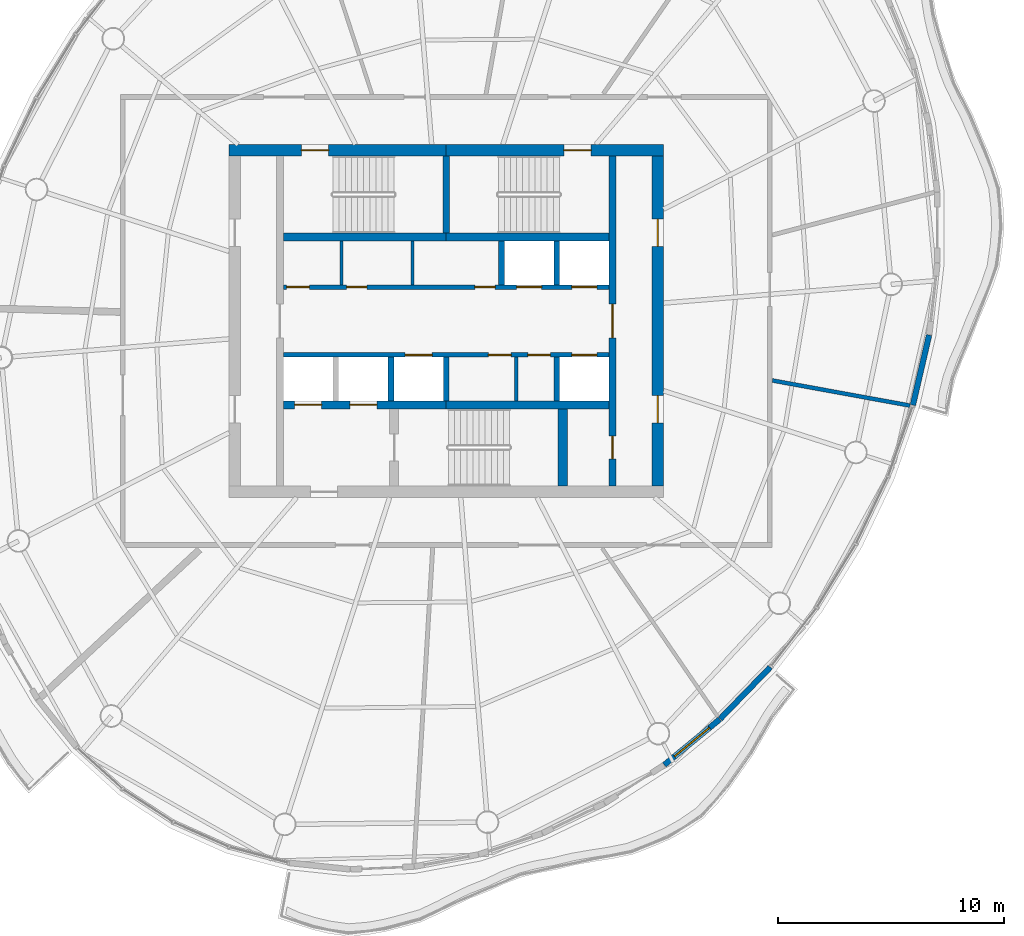
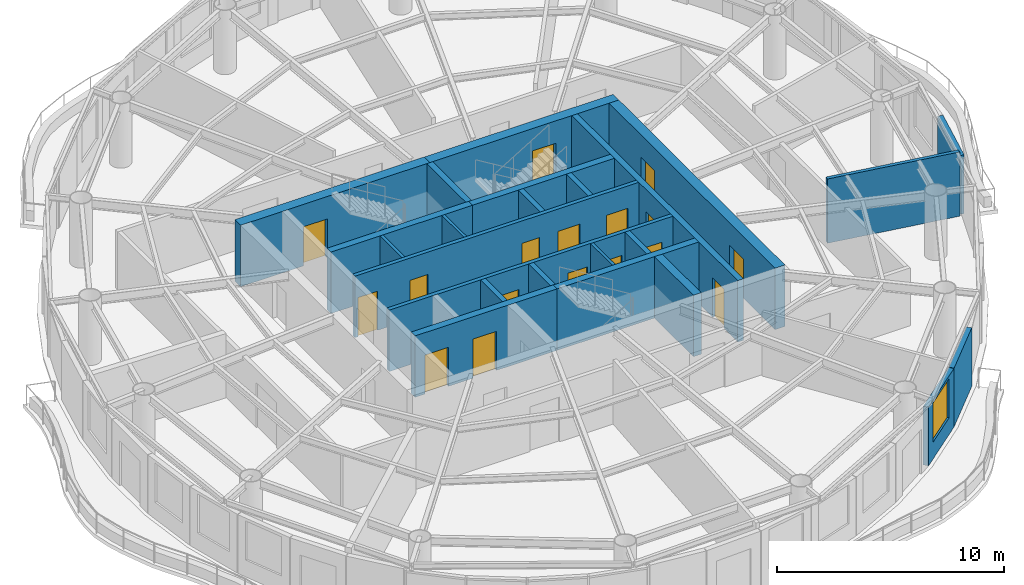
# One storey, part 8 of 13: 24 walls, 17 doors, 1 window, 18 openings.
"""IFC4 building model written with IfcOpenShell, lengths in metres."""

from ifc_helpers import new_model, si_unit, direction, frame, frame_2d, origin, place, context, subcontext, project, spatial, rectangle, extrude, material, layer, layer_set, type_object, element, fill, save


model = new_model("IFC4")

# Units and contexts
model_context = context("Model", 3, precision=1e-05, world=origin(), true_north=direction((0.0, 1.0)))
body_context = subcontext(model_context, "Body", "Model", "MODEL_VIEW")
ifc_project = project(units=[si_unit("LENGTHUNIT", "METRE"), si_unit("AREAUNIT", "SQUARE_METRE"), si_unit("VOLUMEUNIT", "CUBIC_METRE"), si_unit("PLANEANGLEUNIT", "RADIAN"), si_unit("MASSUNIT", "GRAM", prefix="KILO")], contexts=[model_context])

# Site, building, storey
site_placement = place(None, origin())
site = spatial("IfcSite", under=ifc_project, at=site_placement, CompositionType="ELEMENT")
building_placement = place(site_placement, origin())
building = spatial("IfcBuilding", under=site, at=building_placement, Name="Vermilion Reach Broadcast Tower", CompositionType="ELEMENT")
storey_placement = place(building_placement, frame((0.0, 0.0, 279.300048828125)))
storey = spatial("IfcBuildingStorey", under=building, at=storey_placement, Name="L69", CompositionType="ELEMENT", Elevation=279.300048828125)

# Wall, openings, doors
ifc_material_1 = material(Name="Concrete C50", Category="concrete")
ifc_layer_1 = layer(ifc_material_1, 0.300048828125)
ifc_layer_set_1 = layer_set([ifc_layer_1], Name="Core inner wall 300 mm Concrete C50")
wall_type_1 = type_object("IfcWallType", Name="Core inner wall 300 mm Concrete C50", PredefinedType="SHEAR", material=ifc_layer_set_1)
wall_1_placement = place(storey_placement, frame((1.35009765625, -7.300048828125, 0.0), z_axis=(0.0, 0.0, 1.0), x_axis=(0.0, 1.0, 0.0)))
wall_1 = element("IfcWall", 1, at=wall_1_placement, inside=storey, type_object=wall_type_1, Name="L69 core wall ewE", PredefinedType="SHEAR", context=body_context, shape_type="SweptSolid", body=[
    extrude(rectangle(XDim=14.60009765625, YDim=0.300048828125, at=frame_2d((7.300048828125, 0.0))), origin(), (0.0, 0.0, 1.0), 3.300048828125),
])
opening_1_placement = place(wall_1_placement, frame((1.2099609375, 0.0, 0.0)))
opening_1 = element("IfcOpeningElement", 2, at=opening_1_placement, cuts=wall_1, Name="Opening D05", PredefinedType="OPENING", context=body_context, shape_type="SweptSolid", body=[
    extrude(rectangle(XDim=1.0, YDim=2.10009765625, at=frame_2d((0.5, 1.050048828125))), frame((0.0, 0.159912109375, 0.0), z_axis=(0.0, -1.0, 0.0), x_axis=(1.0, 0.0, 0.0)), (0.0, 0.0, 1.0), 0.320068359375),
])
opening_2_placement = place(wall_1_placement, frame((6.550048828125, 0.0, 0.0)))
opening_2 = element("IfcOpeningElement", 3, at=opening_2_placement, cuts=wall_1, Name="Opening D04", PredefinedType="OPENING", context=body_context, shape_type="SweptSolid", body=[
    extrude(rectangle(XDim=1.5, YDim=2.10009765625, at=frame_2d((0.75, 1.050048828125))), frame((0.0, 0.159912109375, 0.0), z_axis=(0.0, -1.0, 0.0), x_axis=(1.0, 0.0, 0.0)), (0.0, 0.0, 1.0), 0.320068359375),
])
ifc_material_2 = material(Name="Painted steel fire door", Category="steel")
door_type_1 = type_object("IfcDoorType", Name="Lift lobby door 1500 x 2100", OperationType="DOUBLE_DOOR_SINGLE_SWING", PredefinedType="NOTDEFINED", material=ifc_material_2)
door_1_placement = place(opening_2_placement, origin())
door_1 = element("IfcDoor", 4, at=door_1_placement, inside=storey, type_object=door_type_1, Name="L69 band door BE", OperationType="DOUBLE_DOOR_SINGLE_SWING", OverallHeight=2.10009765625, OverallWidth=1.5, PredefinedType="NOTDEFINED", context=body_context, shape_type="SweptSolid", body=[
    extrude(rectangle(XDim=1.5, YDim=2.10009765625, at=frame_2d((0.75, 1.050048828125))), frame((0.0, 0.02490234375, 0.0), z_axis=(0.0, -1.0, 0.0), x_axis=(1.0, 0.0, 0.0)), (0.0, 0.0, 1.0), 0.050048828125),
])
fill(opening_2, door_1)
ifc_material_3 = material(Name="Timber door", Category="wood")
door_type_2 = type_object("IfcDoorType", Name="Room door 1000 x 2100", OperationType="NOTDEFINED", PredefinedType="NOTDEFINED", material=ifc_material_3)
door_2_placement = place(opening_1_placement, origin())
door_2 = element("IfcDoor", 5, at=door_2_placement, inside=storey, type_object=door_type_2, Name="L69 door SER", OperationType="SINGLE_SWING_LEFT", OverallHeight=2.10009765625, OverallWidth=1.0, PredefinedType="NOTDEFINED", context=body_context, shape_type="SweptSolid", body=[
    extrude(rectangle(XDim=1.0, YDim=2.10009765625, at=frame_2d((0.5, 1.050048828125))), frame((0.0, 0.02490234375, 0.0), z_axis=(0.0, -1.0, 0.0), x_axis=(1.0, 0.0, 0.0)), (0.0, 0.0, 1.0), 0.050048828125),
])
fill(opening_1, door_2)

# Walls
wall_2_placement = place(storey_placement, frame((-6.0, 3.8798828125, 0.0), z_axis=(0.0, 0.0, 1.0), x_axis=(0.0, 1.0, 0.0)))
element("IfcWall", 6, at=wall_2_placement, inside=storey, type_object=wall_type_1, Name="L69 core wall wc", PredefinedType="SHEAR", context=body_context, shape_type="SweptSolid", body=[
    extrude(rectangle(XDim=3.420166015625, YDim=0.300048828125, at=frame_2d((1.7099609375, 0.0))), origin(), (0.0, 0.0, 1.0), 3.300048828125),
])
ifc_material_4 = material(Name="Concrete C50", Category="concrete")
ifc_layer_2 = layer(ifc_material_4, 0.35009765625)
ifc_layer_set_2 = layer_set([ifc_layer_2], Name="Core inner wall 350 mm Concrete C50")
wall_type_2 = type_object("IfcWallType", Name="Core inner wall 350 mm Concrete C50", PredefinedType="SHEAR", material=ifc_layer_set_2)
for number, where, z_axis, x_axis, name in (
    (7, (-13.199951171875, 3.705078125, 0.0), (0.0, 0.0, 1.0), (1.0, 0.0, 0.0), "L69 core wall winW"),
    (8, (-6.0, 3.705078125, 0.0), (0.0, 0.0, 1.0), (1.0, 0.0, 0.0), "L69 core wall winE"),
):
    element("IfcWall", number, at=place(storey_placement, frame(where, z_axis=z_axis, x_axis=x_axis)), inside=storey, type_object=wall_type_2, Name=name, PredefinedType="SHEAR", context=body_context, shape_type="SweptSolid", body=[
        extrude(rectangle(XDim=7.199951171875, YDim=0.35009765625, at=frame_2d((3.60009765625, 0.0))), origin(), (0.0, 0.0, 1.0), 3.300048828125),
    ])

# Wall, openings, doors
wall_3_placement = place(storey_placement, frame((-13.199951171875, -3.705078125, 0.0), z_axis=(0.0, 0.0, 1.0), x_axis=(1.0, 0.0, 0.0)))
wall_3 = element("IfcWall", 9, at=wall_3_placement, inside=storey, type_object=wall_type_2, Name="L69 core wall wisW", PredefinedType="SHEAR", context=body_context, shape_type="SweptSolid", body=[
    extrude(rectangle(XDim=7.199951171875, YDim=0.35009765625, at=frame_2d((3.60009765625, 0.0))), origin(), (0.0, 0.0, 1.0), 3.300048828125),
])
opening_3_placement = place(wall_3_placement, frame((0.495849609375, 0.0, 0.0)))
opening_3 = element("IfcOpeningElement", 10, at=opening_3_placement, cuts=wall_3, Name="Opening LD1", PredefinedType="OPENING", context=body_context, shape_type="SweptSolid", body=[
    extrude(rectangle(XDim=1.199951171875, YDim=2.10009765625, at=frame_2d((0.60009765625, 1.050048828125))), frame((0.0, 0.18505859375, 0.0), z_axis=(0.0, -1.0, 0.0), x_axis=(1.0, 0.0, 0.0)), (0.0, 0.0, 1.0), 0.3701171875),
])
opening_4_placement = place(wall_3_placement, frame((2.9375, 0.0, 0.0)))
opening_4 = element("IfcOpeningElement", 11, at=opening_4_placement, cuts=wall_3, Name="Opening LD1", PredefinedType="OPENING", context=body_context, shape_type="SweptSolid", body=[
    extrude(rectangle(XDim=1.199951171875, YDim=2.10009765625, at=frame_2d((0.60009765625, 1.050048828125))), frame((0.0, 0.18505859375, 0.0), z_axis=(0.0, -1.0, 0.0), x_axis=(1.0, 0.0, 0.0)), (0.0, 0.0, 1.0), 0.3701171875),
])
ifc_material_5 = material(Name="Stainless steel", Category="steel")
door_type_3 = type_object("IfcDoorType", Name="Landing door 1200 x 2100", OperationType="DOUBLE_DOOR_SLIDING", PredefinedType="NOTDEFINED", material=ifc_material_5)
door_3_placement = place(opening_3_placement, origin())
door_3 = element("IfcDoor", 12, at=door_3_placement, inside=storey, type_object=door_type_3, Name="L69 landing door FF1", OperationType="DOUBLE_DOOR_SLIDING", OverallHeight=2.10009765625, OverallWidth=1.199951171875, PredefinedType="NOTDEFINED", context=body_context, shape_type="SweptSolid", body=[
    extrude(rectangle(XDim=1.199951171875, YDim=2.10009765625, at=frame_2d((0.60009765625, 1.050048828125))), frame((0.0, 0.02490234375, 0.0), z_axis=(0.0, -1.0, 0.0), x_axis=(1.0, 0.0, 0.0)), (0.0, 0.0, 1.0), 0.050048828125),
])
fill(opening_3, door_3)
door_4_placement = place(opening_4_placement, origin())
door_4 = element("IfcDoor", 13, at=door_4_placement, inside=storey, type_object=door_type_3, Name="L69 landing door FF2", OperationType="DOUBLE_DOOR_SLIDING", OverallHeight=2.10009765625, OverallWidth=1.199951171875, PredefinedType="NOTDEFINED", context=body_context, shape_type="SweptSolid", body=[
    extrude(rectangle(XDim=1.199951171875, YDim=2.10009765625, at=frame_2d((0.60009765625, 1.050048828125))), frame((0.0, 0.02490234375, 0.0), z_axis=(0.0, -1.0, 0.0), x_axis=(1.0, 0.0, 0.0)), (0.0, 0.0, 1.0), 0.050048828125),
])
fill(opening_4, door_4)

# Walls
wall_4_placement = place(storey_placement, frame((-6.0, -3.705078125, 0.0), z_axis=(0.0, 0.0, 1.0), x_axis=(1.0, 0.0, 0.0)))
element("IfcWall", 14, at=wall_4_placement, inside=storey, type_object=wall_type_2, Name="L69 core wall wisE", PredefinedType="SHEAR", context=body_context, shape_type="SweptSolid", body=[
    extrude(rectangle(XDim=7.199951171875, YDim=0.35009765625, at=frame_2d((3.60009765625, 0.0))), origin(), (0.0, 0.0, 1.0), 3.300048828125),
])
ifc_material_6 = material(Name="Concrete C50", Category="concrete")
ifc_layer_3 = layer(ifc_material_6, 0.39990234375)
ifc_layer_set_3 = layer_set([ifc_layer_3], Name="Core inner wall 400 mm Concrete C50")
wall_type_3 = type_object("IfcWallType", Name="Core inner wall 400 mm Concrete C50", PredefinedType="SHEAR", material=ifc_layer_set_3)
wall_5_placement = place(storey_placement, frame((-0.85009765625, -3.8798828125, 0.0), z_axis=(0.0, 0.0, 1.0), x_axis=(0.0, -1.0, 0.0)))
element("IfcWall", 15, at=wall_5_placement, inside=storey, type_object=wall_type_3, Name="L69 core wall wb", PredefinedType="SHEAR", context=body_context, shape_type="SweptSolid", body=[
    extrude(rectangle(XDim=3.420166015625, YDim=0.39990234375, at=frame_2d((1.7099609375, 0.0))), origin(), (0.0, 0.0, 1.0), 3.300048828125),
])

# Wall, opening, door
ifc_material_7 = material(Name="Concrete C50", Category="concrete")
ifc_layer_4 = layer(ifc_material_7, 0.5)
ifc_layer_set_4 = layer_set([ifc_layer_4], Name="Core outer wall 500 mm Concrete C50")
wall_type_4 = type_object("IfcWallType", Name="Core outer wall 500 mm Concrete C50", PredefinedType="SHEAR", material=ifc_layer_set_4)
wall_6_placement = place(storey_placement, frame((3.60009765625, 7.550048828125, 0.0), z_axis=(0.0, 0.0, 1.0), x_axis=(-1.0, 0.0, 0.0)))
wall_6 = element("IfcWall", 16, at=wall_6_placement, inside=storey, type_object=wall_type_4, Name="L69 core wall onE", PredefinedType="SHEAR", context=body_context, shape_type="SweptSolid", body=[
    extrude(rectangle(XDim=9.60009765625, YDim=0.5, at=frame_2d((4.800048828125, 0.0))), origin(), (0.0, 0.0, 1.0), 3.300048828125),
])
opening_5_placement = place(wall_6_placement, frame((3.199951171875, 0.0, 0.0)))
opening_5 = element("IfcOpeningElement", 17, at=opening_5_placement, cuts=wall_6, Name="Opening D01", PredefinedType="OPENING", context=body_context, shape_type="SweptSolid", body=[
    extrude(rectangle(XDim=1.199951171875, YDim=2.10009765625, at=frame_2d((0.60009765625, 1.050048828125))), frame((0.0, 0.260009765625, 0.0), z_axis=(0.0, -1.0, 0.0), x_axis=(1.0, 0.0, 0.0)), (0.0, 0.0, 1.0), 0.52001953125),
])
ifc_material_8 = material(Name="Painted steel fire door", Category="steel")
door_type_4 = type_object("IfcDoorType", Name="Stair door 1200 x 2100", OperationType="DOUBLE_DOOR_SINGLE_SWING", PredefinedType="NOTDEFINED", material=ifc_material_8)
door_5_placement = place(opening_5_placement, origin())
door_5 = element("IfcDoor", 18, at=door_5_placement, inside=storey, type_object=door_type_4, Name="L69 stair door ST2", OperationType="DOUBLE_DOOR_SINGLE_SWING", OverallHeight=2.10009765625, OverallWidth=1.199951171875, PredefinedType="NOTDEFINED", context=body_context, shape_type="SweptSolid", body=[
    extrude(rectangle(XDim=1.199951171875, YDim=2.10009765625, at=frame_2d((0.60009765625, 1.050048828125))), frame((0.0, 0.02490234375, 0.0), z_axis=(0.0, -1.0, 0.0), x_axis=(1.0, 0.0, 0.0)), (0.0, 0.0, 1.0), 0.050048828125),
])
fill(opening_5, door_5)

wall_7_placement = place(storey_placement, frame((-6.0, 7.550048828125, 0.0), z_axis=(0.0, 0.0, 1.0), x_axis=(-1.0, 0.0, 0.0)))
wall_7 = element("IfcWall", 19, at=wall_7_placement, inside=storey, type_object=wall_type_4, Name="L69 core wall onW", PredefinedType="SHEAR", context=body_context, shape_type="SweptSolid", body=[
    extrude(rectangle(XDim=9.60009765625, YDim=0.5, at=frame_2d((4.800048828125, 0.0))), origin(), (0.0, 0.0, 1.0), 3.300048828125),
])
opening_6_placement = place(wall_7_placement, frame((5.199951171875, 0.0, 0.0)))
opening_6 = element("IfcOpeningElement", 20, at=opening_6_placement, cuts=wall_7, Name="Opening D01", PredefinedType="OPENING", context=body_context, shape_type="SweptSolid", body=[
    extrude(rectangle(XDim=1.199951171875, YDim=2.10009765625, at=frame_2d((0.60009765625, 1.050048828125))), frame((0.0, 0.260009765625, 0.0), z_axis=(0.0, -1.0, 0.0), x_axis=(1.0, 0.0, 0.0)), (0.0, 0.0, 1.0), 0.52001953125),
])
door_6_placement = place(opening_6_placement, origin())
door_6 = element("IfcDoor", 21, at=door_6_placement, inside=storey, type_object=door_type_4, Name="L69 stair door ST1", OperationType="DOUBLE_DOOR_SINGLE_SWING", OverallHeight=2.10009765625, OverallWidth=1.199951171875, PredefinedType="NOTDEFINED", context=body_context, shape_type="SweptSolid", body=[
    extrude(rectangle(XDim=1.199951171875, YDim=2.10009765625, at=frame_2d((0.60009765625, 1.050048828125))), frame((0.0, 0.02490234375, 0.0), z_axis=(0.0, -1.0, 0.0), x_axis=(1.0, 0.0, 0.0)), (0.0, 0.0, 1.0), 0.050048828125),
])
fill(opening_6, door_6)

# Wall, openings, doors
wall_8_placement = place(storey_placement, frame((3.35009765625, -7.300048828125, 0.0), z_axis=(0.0, 0.0, 1.0), x_axis=(0.0, 1.0, 0.0)))
wall_8 = element("IfcWall", 22, at=wall_8_placement, inside=storey, type_object=wall_type_4, Name="L69 core wall oe", PredefinedType="SHEAR", context=body_context, shape_type="SweptSolid", body=[
    extrude(rectangle(XDim=14.60009765625, YDim=0.5, at=frame_2d((7.300048828125, 0.0))), origin(), (0.0, 0.0, 1.0), 3.300048828125),
])
opening_7_placement = place(wall_8_placement, frame((2.800048828125, 0.0, 0.0)))
opening_7 = element("IfcOpeningElement", 23, at=opening_7_placement, cuts=wall_8, Name="Opening D03", PredefinedType="OPENING", context=body_context, shape_type="SweptSolid", body=[
    extrude(rectangle(XDim=1.199951171875, YDim=2.10009765625, at=frame_2d((0.60009765625, 1.050048828125))), frame((0.0, 0.260009765625, 0.0), z_axis=(0.0, -1.0, 0.0), x_axis=(1.0, 0.0, 0.0)), (0.0, 0.0, 1.0), 0.52001953125),
])
opening_8_placement = place(wall_8_placement, frame((10.60009765625, 0.0, 0.0)))
opening_8 = element("IfcOpeningElement", 24, at=opening_8_placement, cuts=wall_8, Name="Opening D03", PredefinedType="OPENING", context=body_context, shape_type="SweptSolid", body=[
    extrude(rectangle(XDim=1.199951171875, YDim=2.10009765625, at=frame_2d((0.60009765625, 1.050048828125))), frame((0.0, 0.260009765625, 0.0), z_axis=(0.0, -1.0, 0.0), x_axis=(1.0, 0.0, 0.0)), (0.0, 0.0, 1.0), 0.52001953125),
])
ifc_material_9 = material(Name="Painted steel fire door", Category="steel")
door_type_5 = type_object("IfcDoorType", Name="Core lobby door 1200 x 2100", OperationType="DOUBLE_DOOR_SINGLE_SWING", PredefinedType="NOTDEFINED", material=ifc_material_9)
door_7_placement = place(opening_7_placement, origin())
door_7 = element("IfcDoor", 25, at=door_7_placement, inside=storey, type_object=door_type_5, Name="L69 slot door E0", OperationType="DOUBLE_DOOR_SINGLE_SWING", OverallHeight=2.10009765625, OverallWidth=1.199951171875, PredefinedType="NOTDEFINED", context=body_context, shape_type="SweptSolid", body=[
    extrude(rectangle(XDim=1.199951171875, YDim=2.10009765625, at=frame_2d((0.60009765625, 1.050048828125))), frame((0.0, 0.02490234375, 0.0), z_axis=(0.0, -1.0, 0.0), x_axis=(1.0, 0.0, 0.0)), (0.0, 0.0, 1.0), 0.050048828125),
])
fill(opening_7, door_7)
door_8_placement = place(opening_8_placement, origin())
door_8 = element("IfcDoor", 26, at=door_8_placement, inside=storey, type_object=door_type_5, Name="L69 slot door E1", OperationType="DOUBLE_DOOR_SINGLE_SWING", OverallHeight=2.10009765625, OverallWidth=1.199951171875, PredefinedType="NOTDEFINED", context=body_context, shape_type="SweptSolid", body=[
    extrude(rectangle(XDim=1.199951171875, YDim=2.10009765625, at=frame_2d((0.60009765625, 1.050048828125))), frame((0.0, 0.02490234375, 0.0), z_axis=(0.0, -1.0, 0.0), x_axis=(1.0, 0.0, 0.0)), (0.0, 0.0, 1.0), 0.050048828125),
])
fill(opening_8, door_8)

# Walls
ifc_material_10 = material(Name="Masonry block", Category="masonry")
ifc_layer_5 = layer(ifc_material_10, 0.14990234375)
ifc_layer_set_5 = layer_set([ifc_layer_5], Name="Core partition wall 150 mm Masonry block")
wall_type_5 = type_object("IfcWallType", Name="Core partition wall 150 mm Masonry block", PredefinedType="PARTITIONING", material=ifc_layer_set_5)
for number, where, z_axis, x_axis, name in (
    (27, (-10.630615234375, 1.60009765625, 0.0), (0.0, 0.0, 1.0), (0.0, 1.0, 0.0), "L69 core wall prN-4630"),
    (28, (-7.489990234375, 1.60009765625, 0.0), (0.0, 0.0, 1.0), (0.0, 1.0, 0.0), "L69 core wall prN-1490"),
    (29, (-2.90966796875, -1.60009765625, 0.0), (0.0, 0.0, 1.0), (0.0, -1.0, 0.0), "L69 core wall prS3090"),
):
    element("IfcWall", number, at=place(storey_placement, frame(where, z_axis=z_axis, x_axis=x_axis)), inside=storey, type_object=wall_type_5, Name=name, PredefinedType="PARTITIONING", context=body_context, shape_type="SweptSolid", body=[
        extrude(rectangle(XDim=1.929931640625, YDim=0.14990234375, at=frame_2d((0.96484375, 0.0))), origin(), (0.0, 0.0, 1.0), 3.300048828125),
    ])

# Wall, openings, doors
ifc_material_11 = material(Name="Concrete C50", Category="concrete")
ifc_layer_6 = layer(ifc_material_11, 0.199951171875)
ifc_layer_set_6 = layer_set([ifc_layer_6], Name="Core shaft wall 200 mm Concrete C50")
wall_type_6 = type_object("IfcWallType", Name="Core shaft wall 200 mm Concrete C50", PredefinedType="SHEAR", material=ifc_layer_set_6)
wall_9_placement = place(storey_placement, frame((-13.199951171875, 1.5, 0.0), z_axis=(0.0, 0.0, 1.0), x_axis=(1.0, 0.0, 0.0)))
wall_9 = element("IfcWall", 30, at=wall_9_placement, inside=storey, type_object=wall_type_6, Name="L69 core wall fn", PredefinedType="SHEAR", context=body_context, shape_type="SweptSolid", body=[
    extrude(rectangle(XDim=14.39990234375, YDim=0.199951171875, at=frame_2d((7.199951171875, 0.0))), origin(), (0.0, 0.0, 1.0), 3.300048828125),
])
opening_9_placement = place(wall_9_placement, frame((10.3125, 0.0, 0.0)))
opening_9 = element("IfcOpeningElement", 31, at=opening_9_placement, cuts=wall_9, Name="Opening LD2", PredefinedType="OPENING", context=body_context, shape_type="SweptSolid", body=[
    extrude(rectangle(XDim=1.10009765625, YDim=2.10009765625, at=frame_2d((0.550048828125, 1.050048828125))), frame((0.0, 0.10986328125, 0.0), z_axis=(0.0, -1.0, 0.0), x_axis=(1.0, 0.0, 0.0)), (0.0, 0.0, 1.0), 0.219970703125),
])
opening_10_placement = place(wall_9_placement, frame((12.754150390625, 0.0, 0.0)))
opening_10 = element("IfcOpeningElement", 32, at=opening_10_placement, cuts=wall_9, Name="Opening LD2", PredefinedType="OPENING", context=body_context, shape_type="SweptSolid", body=[
    extrude(rectangle(XDim=1.10009765625, YDim=2.10009765625, at=frame_2d((0.550048828125, 1.050048828125))), frame((0.0, 0.10986328125, 0.0), z_axis=(0.0, -1.0, 0.0), x_axis=(1.0, 0.0, 0.0)), (0.0, 0.0, 1.0), 0.219970703125),
])
opening_11_placement = place(wall_9_placement, frame((0.14990234375, 0.0, 0.0)))
opening_11 = element("IfcOpeningElement", 33, at=opening_11_placement, cuts=wall_9, Name="Opening D10", PredefinedType="OPENING", context=body_context, shape_type="SweptSolid", body=[
    extrude(rectangle(XDim=1.0, YDim=2.10009765625, at=frame_2d((0.5, 1.050048828125))), frame((0.0, 0.10986328125, 0.0), z_axis=(0.0, -1.0, 0.0), x_axis=(1.0, 0.0, 0.0)), (0.0, 0.0, 1.0), 0.219970703125),
])
opening_12_placement = place(wall_9_placement, frame((2.79443359375, 0.0, 0.0)))
opening_12 = element("IfcOpeningElement", 34, at=opening_12_placement, cuts=wall_9, Name="Opening D06", PredefinedType="OPENING", context=body_context, shape_type="SweptSolid", body=[
    extrude(rectangle(XDim=0.89990234375, YDim=2.10009765625, at=frame_2d((0.449951171875, 1.050048828125))), frame((0.0, 0.10986328125, 0.0), z_axis=(0.0, -1.0, 0.0), x_axis=(1.0, 0.0, 0.0)), (0.0, 0.0, 1.0), 0.219970703125),
])
opening_13_placement = place(wall_9_placement, frame((8.466552734375, 0.0, 0.0)))
opening_13 = element("IfcOpeningElement", 35, at=opening_13_placement, cuts=wall_9, Name="Opening D06", PredefinedType="OPENING", context=body_context, shape_type="SweptSolid", body=[
    extrude(rectangle(XDim=0.89990234375, YDim=2.10009765625, at=frame_2d((0.449951171875, 1.050048828125))), frame((0.0, 0.10986328125, 0.0), z_axis=(0.0, -1.0, 0.0), x_axis=(1.0, 0.0, 0.0)), (0.0, 0.0, 1.0), 0.219970703125),
])
ifc_material_12 = material(Name="Stainless steel", Category="steel")
door_type_6 = type_object("IfcDoorType", Name="Landing door 1100 x 2100", OperationType="DOUBLE_DOOR_SLIDING", PredefinedType="NOTDEFINED", material=ifc_material_12)
door_9_placement = place(opening_9_placement, origin())
door_9 = element("IfcDoor", 36, at=door_9_placement, inside=storey, type_object=door_type_6, Name="L69 landing door HR1", OperationType="DOUBLE_DOOR_SLIDING", OverallHeight=2.10009765625, OverallWidth=1.10009765625, PredefinedType="NOTDEFINED", context=body_context, shape_type="SweptSolid", body=[
    extrude(rectangle(XDim=1.10009765625, YDim=2.10009765625, at=frame_2d((0.550048828125, 1.050048828125))), frame((0.0, 0.02490234375, 0.0), z_axis=(0.0, -1.0, 0.0), x_axis=(1.0, 0.0, 0.0)), (0.0, 0.0, 1.0), 0.050048828125),
])
fill(opening_9, door_9)
door_10_placement = place(opening_10_placement, origin())
door_10 = element("IfcDoor", 37, at=door_10_placement, inside=storey, type_object=door_type_6, Name="L69 landing door HR2", OperationType="DOUBLE_DOOR_SLIDING", OverallHeight=2.10009765625, OverallWidth=1.10009765625, PredefinedType="NOTDEFINED", context=body_context, shape_type="SweptSolid", body=[
    extrude(rectangle(XDim=1.10009765625, YDim=2.10009765625, at=frame_2d((0.550048828125, 1.050048828125))), frame((0.0, 0.02490234375, 0.0), z_axis=(0.0, -1.0, 0.0), x_axis=(1.0, 0.0, 0.0)), (0.0, 0.0, 1.0), 0.050048828125),
])
fill(opening_10, door_10)
ifc_material_13 = material(Name="Timber door", Category="wood")
door_type_7 = type_object("IfcDoorType", Name="WC door 900 x 2100", OperationType="NOTDEFINED", PredefinedType="NOTDEFINED", material=ifc_material_13)
door_11_placement = place(opening_12_placement, origin())
door_11 = element("IfcDoor", 38, at=door_11_placement, inside=storey, type_object=door_type_7, Name="L69 door Male WC", OperationType="SINGLE_SWING_LEFT", OverallHeight=2.10009765625, OverallWidth=0.89990234375, PredefinedType="NOTDEFINED", context=body_context, shape_type="SweptSolid", body=[
    extrude(rectangle(XDim=0.89990234375, YDim=2.10009765625, at=frame_2d((0.449951171875, 1.050048828125))), frame((0.0, 0.02490234375, 0.0), z_axis=(0.0, -1.0, 0.0), x_axis=(1.0, 0.0, 0.0)), (0.0, 0.0, 1.0), 0.050048828125),
])
fill(opening_12, door_11)
door_12_placement = place(opening_13_placement, origin())
door_12 = element("IfcDoor", 39, at=door_12_placement, inside=storey, type_object=door_type_7, Name="L69 door Female WC", OperationType="SINGLE_SWING_RIGHT", OverallHeight=2.10009765625, OverallWidth=0.89990234375, PredefinedType="NOTDEFINED", context=body_context, shape_type="SweptSolid", body=[
    extrude(rectangle(XDim=0.89990234375, YDim=2.10009765625, at=frame_2d((0.449951171875, 1.050048828125))), frame((0.0, 0.02490234375, 0.0), z_axis=(0.0, -1.0, 0.0), x_axis=(1.0, 0.0, 0.0)), (0.0, 0.0, 1.0), 0.050048828125),
])
fill(opening_13, door_12)
ifc_material_14 = material(Name="Timber door", Category="wood")
door_type_8 = type_object("IfcDoorType", Name="WC lobby door 1000 x 2100", OperationType="NOTDEFINED", PredefinedType="NOTDEFINED", material=ifc_material_14)
door_13_placement = place(opening_11_placement, origin())
door_13 = element("IfcDoor", 40, at=door_13_placement, inside=storey, type_object=door_type_8, Name="L69 door WC lobby", OperationType="SINGLE_SWING_LEFT", OverallHeight=2.10009765625, OverallWidth=1.0, PredefinedType="NOTDEFINED", context=body_context, shape_type="SweptSolid", body=[
    extrude(rectangle(XDim=1.0, YDim=2.10009765625, at=frame_2d((0.5, 1.050048828125))), frame((0.0, 0.02490234375, 0.0), z_axis=(0.0, -1.0, 0.0), x_axis=(1.0, 0.0, 0.0)), (0.0, 0.0, 1.0), 0.050048828125),
])
fill(opening_11, door_13)

wall_10_placement = place(storey_placement, frame((1.199951171875, -1.5, 0.0), z_axis=(0.0, 0.0, 1.0), x_axis=(-1.0, 0.0, 0.0)))
wall_10 = element("IfcWall", 41, at=wall_10_placement, inside=storey, type_object=wall_type_6, Name="L69 core wall fs", PredefinedType="SHEAR", context=body_context, shape_type="SweptSolid", body=[
    extrude(rectangle(XDim=14.39990234375, YDim=0.199951171875, at=frame_2d((7.199951171875, 0.0))), origin(), (0.0, 0.0, 1.0), 3.300048828125),
])
opening_14_placement = place(wall_10_placement, frame((7.82080078125, 0.0, 0.0)))
opening_14 = element("IfcOpeningElement", 42, at=opening_14_placement, cuts=wall_10, Name="Opening LD1", PredefinedType="OPENING", context=body_context, shape_type="SweptSolid", body=[
    extrude(rectangle(XDim=1.199951171875, YDim=2.10009765625, at=frame_2d((0.60009765625, 1.050048828125))), frame((0.0, 0.10986328125, 0.0), z_axis=(0.0, -1.0, 0.0), x_axis=(1.0, 0.0, 0.0)), (0.0, 0.0, 1.0), 0.219970703125),
])
opening_15_placement = place(wall_10_placement, frame((0.5458984375, 0.0, 0.0)))
opening_15 = element("IfcOpeningElement", 43, at=opening_15_placement, cuts=wall_10, Name="Opening LD2", PredefinedType="OPENING", context=body_context, shape_type="SweptSolid", body=[
    extrude(rectangle(XDim=1.10009765625, YDim=2.10009765625, at=frame_2d((0.550048828125, 1.050048828125))), frame((0.0, 0.10986328125, 0.0), z_axis=(0.0, -1.0, 0.0), x_axis=(1.0, 0.0, 0.0)), (0.0, 0.0, 1.0), 0.219970703125),
])
opening_16_placement = place(wall_10_placement, frame((4.334716796875, 0.0, 0.0)))
opening_16 = element("IfcOpeningElement", 44, at=opening_16_placement, cuts=wall_10, Name="Opening D07", PredefinedType="OPENING", context=body_context, shape_type="SweptSolid", body=[
    extrude(rectangle(XDim=1.0, YDim=2.10009765625, at=frame_2d((0.5, 1.050048828125))), frame((0.0, 0.10986328125, 0.0), z_axis=(0.0, -1.0, 0.0), x_axis=(1.0, 0.0, 0.0)), (0.0, 0.0, 1.0), 0.219970703125),
])
opening_17_placement = place(wall_10_placement, frame((2.591552734375, 0.0, 0.0)))
opening_17 = element("IfcOpeningElement", 45, at=opening_17_placement, cuts=wall_10, Name="Opening D11", PredefinedType="OPENING", context=body_context, shape_type="SweptSolid", body=[
    extrude(rectangle(XDim=1.0, YDim=2.10009765625, at=frame_2d((0.5, 1.050048828125))), frame((0.0, 0.10986328125, 0.0), z_axis=(0.0, -1.0, 0.0), x_axis=(1.0, 0.0, 0.0)), (0.0, 0.0, 1.0), 0.219970703125),
])
ifc_material_15 = material(Name="Timber door", Category="wood")
door_type_9 = type_object("IfcDoorType", Name="Accessible WC door 1000 x 2100", OperationType="NOTDEFINED", PredefinedType="NOTDEFINED", material=ifc_material_15)
door_14_placement = place(opening_16_placement, origin())
door_14 = element("IfcDoor", 46, at=door_14_placement, inside=storey, type_object=door_type_9, Name="L69 door Accessible WC", OperationType="SINGLE_SWING_LEFT", OverallHeight=2.10009765625, OverallWidth=1.0, PredefinedType="NOTDEFINED", context=body_context, shape_type="SweptSolid", body=[
    extrude(rectangle(XDim=1.0, YDim=2.10009765625, at=frame_2d((0.5, 1.050048828125))), frame((0.0, 0.02490234375, 0.0), z_axis=(0.0, -1.0, 0.0), x_axis=(1.0, 0.0, 0.0)), (0.0, 0.0, 1.0), 0.050048828125),
])
fill(opening_16, door_14)
door_15_placement = place(opening_15_placement, origin())
door_15 = element("IfcDoor", 47, at=door_15_placement, inside=storey, type_object=door_type_6, Name="L69 landing door HR3", OperationType="DOUBLE_DOOR_SLIDING", OverallHeight=2.10009765625, OverallWidth=1.10009765625, PredefinedType="NOTDEFINED", context=body_context, shape_type="SweptSolid", body=[
    extrude(rectangle(XDim=1.10009765625, YDim=2.10009765625, at=frame_2d((0.550048828125, 1.050048828125))), frame((0.0, 0.02490234375, 0.0), z_axis=(0.0, -1.0, 0.0), x_axis=(1.0, 0.0, 0.0)), (0.0, 0.0, 1.0), 0.050048828125),
])
fill(opening_15, door_15)
door_16_placement = place(opening_14_placement, origin())
door_16 = element("IfcDoor", 48, at=door_16_placement, inside=storey, type_object=door_type_3, Name="L69 landing door SV1", OperationType="DOUBLE_DOOR_SLIDING", OverallHeight=2.10009765625, OverallWidth=1.199951171875, PredefinedType="NOTDEFINED", context=body_context, shape_type="SweptSolid", body=[
    extrude(rectangle(XDim=1.199951171875, YDim=2.10009765625, at=frame_2d((0.60009765625, 1.050048828125))), frame((0.0, 0.02490234375, 0.0), z_axis=(0.0, -1.0, 0.0), x_axis=(1.0, 0.0, 0.0)), (0.0, 0.0, 1.0), 0.050048828125),
])
fill(opening_14, door_16)
ifc_material_16 = material(Name="Painted steel fire door", Category="steel")
door_type_10 = type_object("IfcDoorType", Name="Services room door 1000 x 2100", OperationType="NOTDEFINED", PredefinedType="NOTDEFINED", material=ifc_material_16)
door_17_placement = place(opening_17_placement, origin())
door_17 = element("IfcDoor", 49, at=door_17_placement, inside=storey, type_object=door_type_10, Name="L69 door Electrical room", OperationType="SINGLE_SWING_LEFT", OverallHeight=2.10009765625, OverallWidth=1.0, PredefinedType="NOTDEFINED", context=body_context, shape_type="SweptSolid", body=[
    extrude(rectangle(XDim=1.0, YDim=2.10009765625, at=frame_2d((0.5, 1.050048828125))), frame((0.0, 0.02490234375, 0.0), z_axis=(0.0, -1.0, 0.0), x_axis=(1.0, 0.0, 0.0)), (0.0, 0.0, 1.0), 0.050048828125),
])
fill(opening_17, door_17)

# Walls
ifc_material_17 = material(Name="Concrete C50", Category="concrete")
ifc_layer_7 = layer(ifc_material_17, 0.25)
ifc_layer_set_7 = layer_set([ifc_layer_7], Name="Core shaft wall 250 mm Concrete C50")
wall_type_7 = type_object("IfcWallType", Name="Core shaft wall 250 mm Concrete C50", PredefinedType="SHEAR", material=ifc_layer_set_7)
for number, where, z_axis, x_axis, name in (
    (50, (-3.558349609375, 1.60009765625, 0.0), (0.0, 0.0, 1.0), (0.0, 1.0, 0.0), "L69 core wall psN3"),
    (51, (-1.11669921875, 1.60009765625, 0.0), (0.0, 0.0, 1.0), (0.0, 1.0, 0.0), "L69 core wall psN4"),
    (52, (-8.441650390625, -1.60009765625, 0.0), (0.0, 0.0, 1.0), (0.0, -1.0, 0.0), "L69 core wall psS1"),
    (53, (-6.0, -1.60009765625, 0.0), (0.0, 0.0, 1.0), (0.0, -1.0, 0.0), "L69 core wall psS2"),
    (54, (-1.11669921875, -1.60009765625, 0.0), (0.0, 0.0, 1.0), (0.0, -1.0, 0.0), "L69 core wall psS4"),
):
    element("IfcWall", number, at=place(storey_placement, frame(where, z_axis=z_axis, x_axis=x_axis)), inside=storey, type_object=wall_type_7, Name=name, PredefinedType="SHEAR", context=body_context, shape_type="SweptSolid", body=[
        extrude(rectangle(XDim=1.929931640625, YDim=0.25, at=frame_2d((0.96484375, 0.0))), origin(), (0.0, 0.0, 1.0), 3.300048828125),
    ])
ifc_material_18 = material(Name="Fire-rated block, plastered")
ifc_layer_8 = layer(ifc_material_18, 0.175048828125)
ifc_layer_set_8 = layer_set([ifc_layer_8], Name="Partition 175 fire-rated block")
wall_type_8 = type_object("IfcWallType", Name="Partition 175 fire-rated block", PredefinedType="PARTITIONING", material=ifc_layer_set_8)
wall_11_placement = place(storey_placement, frame((14.4921875, -3.737548828125, 0.0), z_axis=(0.0, 0.0, 1.0), x_axis=(-0.98376729686, 0.1794488942, 0.0)))
element("IfcWall", 55, at=wall_11_placement, inside=storey, type_object=wall_type_8, Name="Partition 69.07", PredefinedType="PARTITIONING", context=body_context, shape_type="SweptSolid", body=[
    extrude(rectangle(XDim=6.1767578125, YDim=0.175048828125, at=frame_2d((3.08837890625, 0.0))), origin(), (0.0, 0.0, 1.0), 3.449951171875),
])

# Wall, opening, window
ifc_material_19 = material(Name="Terracotta rainscreen cladding", Category="masonry")
ifc_layer_9 = layer(ifc_material_19, 0.25)
ifc_layer_set_9 = layer_set([ifc_layer_9], Name="Terracotta rainscreen wall 250")
wall_type_9 = type_object("IfcWallType", Name="Terracotta rainscreen wall 250", PredefinedType="SOLIDWALL", material=ifc_layer_set_9)
wall_12_placement = place(storey_placement, frame((3.638916015625, -19.616943359375, 0.0), z_axis=(0.0, 0.0, 1.0), x_axis=(0.772343261753, 0.635205388851, 0.0)))
wall_12 = element("IfcWall", 56, at=wall_12_placement, inside=storey, type_object=wall_type_9, Name="External wall L69 32", PredefinedType="SOLIDWALL", context=body_context, shape_type="SweptSolid", body=[
    extrude(rectangle(XDim=3.17236328125, YDim=0.25, at=frame_2d((1.586181640625, 0.0))), origin(), (0.0, 0.0, 1.0), 3.14990234375),
])
opening_18_placement = place(wall_12_placement, frame((0.586181640625, 0.0, 0.89990234375)))
opening_18 = element("IfcOpeningElement", 57, at=opening_18_placement, cuts=wall_12, Name="Opening W03", PredefinedType="OPENING", context=body_context, shape_type="SweptSolid", body=[
    extrude(rectangle(XDim=2.0, YDim=2.10009765625, at=frame_2d((1.0, 1.050048828125))), frame((0.0, 0.135009765625, 0.0), z_axis=(0.0, -1.0, 0.0), x_axis=(1.0, 0.0, 0.0)), (0.0, 0.0, 1.0), 0.27001953125),
])
ifc_material_20 = material(Name="Low-e laminated clear glass in aluminium frame", Category="aluminium")
window_type = type_object("IfcWindowType", Name="Punched window 2000 x 2100 sill 900", PartitioningType="SINGLE_PANEL", PredefinedType="WINDOW", material=ifc_material_20)
window_placement = place(opening_18_placement, origin())
window = element("IfcWindow", 58, at=window_placement, inside=storey, type_object=window_type, Name="Window L69 32", OverallHeight=2.10009765625, OverallWidth=2.0, PartitioningType="SINGLE_PANEL", PredefinedType="WINDOW", context=body_context, shape_type="SweptSolid", body=[
    extrude(rectangle(XDim=2.0, YDim=2.10009765625, at=frame_2d((1.0, 1.050048828125))), frame((0.0, 0.030029296875, 0.0), z_axis=(0.0, -1.0, 0.0), x_axis=(1.0, 0.0, 0.0)), (0.0, 0.0, 1.0), 0.06005859375),
])
fill(opening_18, window)

# Walls
wall_13_placement = place(storey_placement, frame((6.105224609375, -17.5869140625, 0.0), z_axis=(0.0, 0.0, 1.0), x_axis=(0.695972067976, 0.718068855053, 0.0)))
element("IfcWall", 59, at=wall_13_placement, inside=storey, type_object=wall_type_9, Name="External wall L69 33", PredefinedType="SOLIDWALL", context=body_context, shape_type="SweptSolid", body=[
    extrude(rectangle(XDim=3.18212890625, YDim=0.25, at=frame_2d((1.591064453125, 0.0))), origin(), (0.0, 0.0, 1.0), 3.14990234375),
])
wall_14_placement = place(storey_placement, frame((14.624755859375, -3.71875, 0.0), z_axis=(0.0, 0.0, 1.0), x_axis=(0.225201327467, 0.974312250825, 0.0)))
element("IfcWall", 60, at=wall_14_placement, inside=storey, type_object=wall_type_9, Name="External wall L69 38", PredefinedType="SOLIDWALL", context=body_context, shape_type="SweptSolid", body=[
    extrude(rectangle(XDim=3.181884765625, YDim=0.25, at=frame_2d((1.5908203125, 0.0))), origin(), (0.0, 0.0, 1.0), 3.14990234375),
])

save(model, "model.ifc")
